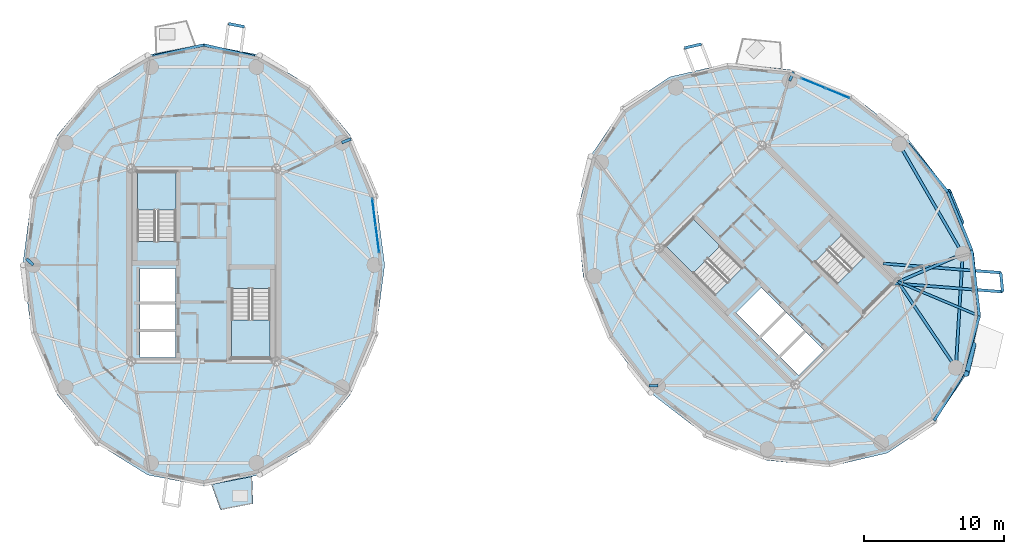
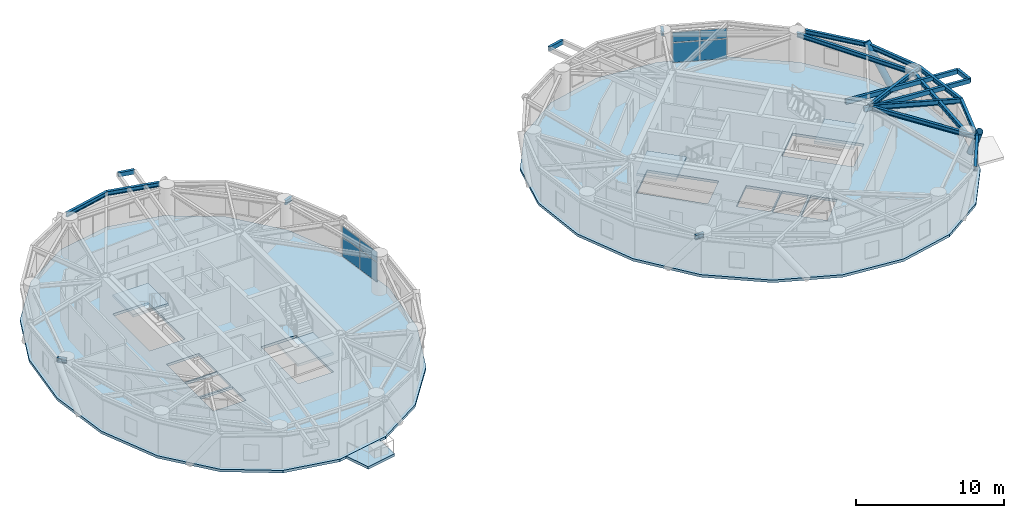
# One storey, part 7 of 17: 21 beams, 8 plates, 7 slabs, 2 members, 6 elements without a shape of their own.
"""IFC4 building model written with IfcOpenShell, lengths in metres."""

from ifc_helpers import new_model, si_unit, direction, frame, origin, origin_2d, place, context, subcontext, project, spatial, polyline, rectangle, hollow_rectangle, hollow_circle, i_section, outline, extrude, source, transform, mapped, material, layer, layer_set, material_profile, profile_set, type_object, element, aggregate, save


model = new_model("IFC4")

# Units and contexts
model_context = context("Model", 3, precision=1e-05, world=origin(), true_north=direction((0.0, 1.0)))
body_context = subcontext(model_context, "Body", "Model", "MODEL_VIEW")
ifc_project = project(units=[si_unit("LENGTHUNIT", "METRE"), si_unit("AREAUNIT", "SQUARE_METRE"), si_unit("VOLUMEUNIT", "CUBIC_METRE"), si_unit("PLANEANGLEUNIT", "RADIAN"), si_unit("MASSUNIT", "GRAM", prefix="KILO")], contexts=[model_context])

# Site, building, storey
site_placement = place(None, origin())
site = spatial("IfcSite", under=ifc_project, at=site_placement, CompositionType="ELEMENT")
building_placement = place(site_placement, origin())
building = spatial("IfcBuilding", under=site, at=building_placement, Name="Cununo Teusaquillo Station Towers", CompositionType="ELEMENT")
storey_placement = place(building_placement, frame((0.0, 0.0, 222.85009765625)))
storey = spatial("IfcBuildingStorey", under=building, at=storey_placement, Name="L71", CompositionType="ELEMENT", Elevation=222.85009765625)

# Beams
ifc_material_1 = material(Name="Steel EN 10025-2 S355J2", Category="steel")
ifc_material_profile_1 = material_profile(ifc_material_1, hollow_rectangle(XDim=0.199951171875, YDim=0.35009765625, WallThickness=0.013916015625, at=origin_2d()), Name="RHS 350x200x14")
ifc_profile_set_1 = profile_set([ifc_material_profile_1], Name="Steel EN 10025-2 S355J2")
beam_type_1 = type_object("IfcBeamType", Name="BM-BAL-CANT", PredefinedType="BEAM", material=ifc_profile_set_1)
beam_1_placement = place(storey_placement, frame((65.602783203125, 23.1982421875, 2.81494140625), z_axis=(0.997032447952, -0.076982450804, 0.0), x_axis=(0.076982450804, 0.997032447952, 0.0)))
element("IfcBeam", 1, at=beam_1_placement, inside=storey, type_object=beam_type_1, Name="L71 Tower B Balcony Cantilever Bracket 2A", PredefinedType="BEAM", context=body_context, shape_type="SweptSolid", body=[
    extrude(hollow_rectangle(XDim=0.199951171875, YDim=0.35009765625, WallThickness=0.013916015625, at=origin_2d()), origin(), (0.0, 0.0, 1.0), 7.89990234375),
])
beam_2_placement = place(storey_placement, frame((64.966064453125, 24.599853515625, 2.81494140625), z_axis=(0.997033941401, -0.076963106063, 0.0), x_axis=(0.076963106063, 0.997033941401, 0.0)))
element("IfcBeam", 2, at=beam_2_placement, inside=storey, type_object=beam_type_1, Name="L71 Tower B Balcony Cantilever Bracket 2B", PredefinedType="BEAM", context=body_context, shape_type="SweptSolid", body=[
    extrude(hollow_rectangle(XDim=0.199951171875, YDim=0.35009765625, WallThickness=0.013916015625, at=origin_2d()), origin(), (0.0, 0.0, 1.0), 8.403076171875),
])
ifc_material_2 = material(Name="Steel ASTM A572 Grade 50", Category="steel")
ifc_material_profile_2 = material_profile(ifc_material_2, i_section(OverallWidth=0.180908203125, OverallDepth=0.4169921875, WebThickness=0.010986328125, FlangeThickness=0.018310546875, FilletRadius=0.012939453125, at=origin_2d()), Name="W16X57")
ifc_profile_set_2 = profile_set([ifc_material_profile_2], Name="Steel ASTM A572 Grade 50")
beam_type_2 = type_object("IfcBeamType", Name="BM-JOIST-1", PredefinedType="JOIST", material=ifc_profile_set_2)
beam_3_placement = place(storey_placement, frame((66.024169921875, 23.29443359375, 2.781494140625), z_axis=(0.922169338565, -0.386786389381, 0.0), x_axis=(0.386786389381, 0.922169338565, 0.0)))
element("IfcBeam", 3, at=beam_3_placement, inside=storey, type_object=beam_type_2, Name="L71 Tower B Radial Spandrel Joist V17", PredefinedType="JOIST", context=body_context, shape_type="SweptSolid", body=[
    extrude(i_section(OverallWidth=0.180908203125, OverallDepth=0.4169921875, WebThickness=0.010986328125, FlangeThickness=0.018310546875, FilletRadius=0.012939453125, at=origin_2d()), origin(), (0.0, 0.0, 1.0), 6.281005859375),
])
ifc_material_3 = material(Name="Steel ASTM A572 Grade 50", Category="steel")
ifc_material_profile_3 = material_profile(ifc_material_3, i_section(OverallWidth=0.2041015625, OverallDepth=0.35009765625, WebThickness=0.008544921875, FlangeThickness=0.01513671875, FilletRadius=0.011962890625, at=origin_2d()), Name="W14X48")
ifc_profile_set_3 = profile_set([ifc_material_profile_3], Name="Steel ASTM A572 Grade 50")
beam_type_3 = type_object("IfcBeamType", Name="BM-RAD-G3", PredefinedType="BEAM", material=ifc_profile_set_3)
beam_4_placement = place(storey_placement, frame((26.347412109375, 33.228515625, 2.81494140625), z_axis=(0.929761307449, 0.368162886738, 0.0), x_axis=(-0.368162886738, 0.929761307449, 0.0)))
element("IfcBeam", 4, at=beam_4_placement, inside=storey, type_object=beam_type_3, Name="L71 Tower A Perimeter Overhang Girder 02B", PredefinedType="BEAM", context=body_context, shape_type="SweptSolid", body=[
    extrude(i_section(OverallWidth=0.2041015625, OverallDepth=0.35009765625, WebThickness=0.008544921875, FlangeThickness=0.01513671875, FilletRadius=0.011962890625, at=origin_2d()), origin(), (0.0, 0.0, 1.0), 0.691650390625),
])
beam_5_placement = place(storey_placement, frame((4.327880859375, 24.5, 2.81494140625), z_axis=(-0.712904743691, 0.701260883283, 0.0), x_axis=(-0.701260883283, -0.712904743691, 0.0)))
element("IfcBeam", 5, at=beam_5_placement, inside=storey, type_object=beam_type_3, Name="L71 Tower A Perimeter Overhang Girder 06B", PredefinedType="BEAM", context=body_context, shape_type="SweptSolid", body=[
    extrude(i_section(OverallWidth=0.2041015625, OverallDepth=0.35009765625, WebThickness=0.008544921875, FlangeThickness=0.01513671875, FilletRadius=0.011962890625, at=origin_2d()), origin(), (0.0, 0.0, 1.0), 0.64990234375),
])
beam_6_placement = place(storey_placement, frame((58.291015625, 37.63525390625, 2.81494140625), z_axis=(0.397409333503, 0.917641445034, 0.0), x_axis=(-0.917641445034, 0.397409333503, 0.0)))
element("IfcBeam", 6, at=beam_6_placement, inside=storey, type_object=beam_type_3, Name="L71 Tower B Perimeter Overhang Girder 02B", PredefinedType="BEAM", context=body_context, shape_type="SweptSolid", body=[
    extrude(i_section(OverallWidth=0.2041015625, OverallDepth=0.35009765625, WebThickness=0.008544921875, FlangeThickness=0.01513671875, FilletRadius=0.011962890625, at=origin_2d()), origin(), (0.0, 0.0, 1.0), 0.691650390625),
])
beam_7_placement = place(storey_placement, frame((48.89306640625, 15.89306640625, 2.81494140625), z_axis=(-0.999962704276, -0.008636553586, 0.0), x_axis=(0.008636553586, -0.999962704276, 0.0)))
element("IfcBeam", 7, at=beam_7_placement, inside=storey, type_object=beam_type_3, Name="L71 Tower B Perimeter Overhang Girder 06B", PredefinedType="BEAM", context=body_context, shape_type="SweptSolid", body=[
    extrude(i_section(OverallWidth=0.2041015625, OverallDepth=0.35009765625, WebThickness=0.008544921875, FlangeThickness=0.01513671875, FilletRadius=0.011962890625, at=origin_2d()), origin(), (0.0, 0.0, 1.0), 0.650146484375),
])
beam_8_placement = place(storey_placement, frame((66.024169921875, 23.29443359375, 2.81494140625), z_axis=(0.558570844079, -0.829456817529, 0.0), x_axis=(0.829456817529, 0.558570844079, 0.0)))
element("IfcBeam", 8, at=beam_8_placement, inside=storey, type_object=beam_type_3, Name="L71 Tower B Continuous Overhanging Radial Girder 09", PredefinedType="BEAM", context=body_context, shape_type="SweptSolid", body=[
    extrude(i_section(OverallWidth=0.2041015625, OverallDepth=0.35009765625, WebThickness=0.008544921875, FlangeThickness=0.01513671875, FilletRadius=0.011962890625, at=origin_2d()), origin(), (0.0, 0.0, 1.0), 8.1240234375),
])
beam_9_placement = place(storey_placement, frame((66.024169921875, 23.29443359375, 2.81494140625), z_axis=(0.917665176837, 0.397354530893, 0.0), x_axis=(-0.397354530893, 0.917665176837, 0.0)))
element("IfcBeam", 9, at=beam_9_placement, inside=storey, type_object=beam_type_3, Name="L71 Tower B Continuous Overhanging Radial Girder 10", PredefinedType="BEAM", context=body_context, shape_type="SweptSolid", body=[
    extrude(i_section(OverallWidth=0.2041015625, OverallDepth=0.35009765625, WebThickness=0.008544921875, FlangeThickness=0.01513671875, FilletRadius=0.011962890625, at=origin_2d()), origin(), (0.0, 0.0, 1.0), 5.716552734375),
])
ifc_material_4 = material(Name="Steel ASTM A572 Grade 50", Category="steel")
ifc_material_profile_4 = material_profile(ifc_material_4, i_section(OverallWidth=0.2041015625, OverallDepth=0.35009765625, WebThickness=0.008544921875, FlangeThickness=0.01513671875, FilletRadius=0.011962890625, at=origin_2d()), Name="W14X48")
ifc_profile_set_4 = profile_set([ifc_material_profile_4], Name="Steel ASTM A572 Grade 50")
beam_type_4 = type_object("IfcBeamType", Name="BM-RING-Z4", PredefinedType="SPANDREL", material=ifc_profile_set_4)
for number, where, z_axis, x_axis, name in (
    (10, (20.118896484375, 39.353515625, 2.81494140625), (-0.97431470066, 0.225190728224, 0.0), (-0.225190728224, -0.97431470066, 0.0), "L71 Tower A Spandrel Ring Beam 05"),
    (11, (16.5, 40.18994140625, 2.81494140625), (-0.97431470066, -0.225190728224, 0.0), (0.225190728224, -0.97431470066, 0.0), "L71 Tower A Spandrel Ring Beam 06"),
):
    element("IfcBeam", number, at=place(storey_placement, frame(where, z_axis=z_axis, x_axis=x_axis)), inside=storey, type_object=beam_type_4, Name=name, PredefinedType="SPANDREL", context=body_context, shape_type="SweptSolid", body=[
        extrude(i_section(OverallWidth=0.2041015625, OverallDepth=0.35009765625, WebThickness=0.008544921875, FlangeThickness=0.01513671875, FilletRadius=0.011962890625, at=origin_2d()), origin(), (0.0, 0.0, 1.0), 3.71435546875),
    ])
beam_10_placement = place(storey_placement, frame((70.146240234375, 17.173095703125, 2.81494140625), z_axis=(0.06012979176, 0.998190567048, 0.0), x_axis=(-0.998190567048, 0.06012979176, 0.0)))
element("IfcBeam", 12, at=beam_10_placement, inside=storey, type_object=beam_type_4, Name="L71 Tower B Structural Column Ring Girder 09", PredefinedType="SPANDREL", context=body_context, shape_type="SweptSolid", body=[
    extrude(i_section(OverallWidth=0.2041015625, OverallDepth=0.35009765625, WebThickness=0.008544921875, FlangeThickness=0.01513671875, FilletRadius=0.011962890625, at=origin_2d()), origin(), (0.0, 0.0, 1.0), 8.132568359375),
])
beam_11_placement = place(storey_placement, frame((70.63525390625, 25.291015625, 2.81494140625), z_axis=(-0.501311121078, 0.865267103202, 0.0), x_axis=(-0.865267103202, -0.501311121078, 0.0)))
element("IfcBeam", 13, at=beam_11_placement, inside=storey, type_object=beam_type_4, Name="L71 Tower B Structural Column Ring Girder 10", PredefinedType="SPANDREL", context=body_context, shape_type="SweptSolid", body=[
    extrude(i_section(OverallWidth=0.2041015625, OverallDepth=0.35009765625, WebThickness=0.008544921875, FlangeThickness=0.01513671875, FilletRadius=0.011962890625, at=origin_2d()), origin(), (0.0, 0.0, 1.0), 9.032958984375),
])
beam_12_placement = place(storey_placement, frame((68.594482421875, 13.405517578125, 2.81494140625), z_axis=(0.529715312739, 0.848175505099, 0.0), x_axis=(-0.848175505099, 0.529715312739, 0.0)))
element("IfcBeam", 14, at=beam_12_placement, inside=storey, type_object=beam_type_4, Name="L71 Tower B Spandrel Ring Beam 16", PredefinedType="SPANDREL", context=body_context, shape_type="SweptSolid", body=[
    extrude(i_section(OverallWidth=0.2041015625, OverallDepth=0.35009765625, WebThickness=0.008544921875, FlangeThickness=0.01513671875, FilletRadius=0.011962890625, at=origin_2d()), origin(), (0.0, 0.0, 1.0), 3.71435546875),
])
beam_13_placement = place(storey_placement, frame((70.56201171875, 16.555908203125, 2.81494140625), z_axis=(0.279502797802, 0.96014487762, 0.0), x_axis=(-0.96014487762, 0.279502797802, 0.0)))
element("IfcBeam", 15, at=beam_13_placement, inside=storey, type_object=beam_type_4, Name="L71 Tower B Spandrel Ring Beam 17", PredefinedType="SPANDREL", context=body_context, shape_type="SweptSolid", body=[
    extrude(i_section(OverallWidth=0.2041015625, OverallDepth=0.35009765625, WebThickness=0.008544921875, FlangeThickness=0.01513671875, FilletRadius=0.011962890625, at=origin_2d()), origin(), (0.0, 0.0, 1.0), 4.488037109375),
])
beam_14_placement = place(storey_placement, frame((71.81640625, 20.864990234375, 2.81494140625), z_axis=(-0.115452326356, 0.993313022334, 0.0), x_axis=(-0.993313022334, -0.115452326356, 0.0)))
element("IfcBeam", 16, at=beam_14_placement, inside=storey, type_object=beam_type_4, Name="L71 Tower B Spandrel Ring Beam 18", PredefinedType="SPANDREL", context=body_context, shape_type="SweptSolid", body=[
    extrude(i_section(OverallWidth=0.2041015625, OverallDepth=0.35009765625, WebThickness=0.008544921875, FlangeThickness=0.01513671875, FilletRadius=0.011962890625, at=origin_2d()), origin(), (0.0, 0.0, 1.0), 4.732666015625),
])
beam_15_placement = place(storey_placement, frame((71.27001953125, 25.56591796875, 2.81494140625), z_axis=(-0.379275405388, 0.925283830437, 0.0), x_axis=(-0.925283830437, -0.379275405388, 0.0)))
element("IfcBeam", 17, at=beam_15_placement, inside=storey, type_object=beam_type_4, Name="L71 Tower B Spandrel Ring Beam 19", PredefinedType="SPANDREL", context=body_context, shape_type="SweptSolid", body=[
    extrude(i_section(OverallWidth=0.2041015625, OverallDepth=0.35009765625, WebThickness=0.008544921875, FlangeThickness=0.01513671875, FilletRadius=0.011962890625, at=origin_2d()), origin(), (0.0, 0.0, 1.0), 4.482177734375),
])
beam_16_placement = place(storey_placement, frame((69.570068359375, 29.713134765625, 2.81494140625), z_axis=(-0.637524682095, 0.770429931739, 0.0), x_axis=(-0.770429931739, -0.637524682095, 0.0)))
element("IfcBeam", 18, at=beam_16_placement, inside=storey, type_object=beam_type_4, Name="L71 Tower B Spandrel Ring Beam 20", PredefinedType="SPANDREL", context=body_context, shape_type="SweptSolid", body=[
    extrude(i_section(OverallWidth=0.2041015625, OverallDepth=0.35009765625, WebThickness=0.008544921875, FlangeThickness=0.01513671875, FilletRadius=0.011962890625, at=origin_2d()), origin(), (0.0, 0.0, 1.0), 4.412353515625),
])
ifc_material_5 = material(Name="Steel EN 10025-2 S355J2", Category="steel")
ifc_material_profile_5 = material_profile(ifc_material_5, hollow_rectangle(XDim=0.199951171875, YDim=0.35009765625, WallThickness=0.013916015625, at=origin_2d()), Name="RHS 350x200x14")
ifc_profile_set_5 = profile_set([ifc_material_profile_5], Name="Steel EN 10025-2 S355J2")
beam_type_5 = type_object("IfcBeamType", Name="BM-STAIR-TRIM", PredefinedType="BEAM", material=ifc_profile_set_5)
beam_17_placement = place(storey_placement, frame((19.398193359375, 41.489501953125, 2.81494140625), z_axis=(-0.981857200028, 0.189621830897, 0.0), x_axis=(-0.189621830897, -0.981857200028, 0.0)))
element("IfcBeam", 19, at=beam_17_placement, inside=storey, type_object=beam_type_5, Name="L71 Tower A Balcony Edge Trimmer Beam 1", PredefinedType="BEAM", context=body_context, shape_type="SweptSolid", body=[
    extrude(hollow_rectangle(XDim=0.199951171875, YDim=0.35009765625, WallThickness=0.013916015625, at=origin_2d()), origin(), (0.0, 0.0, 1.0), 1.157470703125),
])
beam_18_placement = place(storey_placement, frame((51.9951171875, 40.255859375, 2.81494140625), z_axis=(-0.973841209742, -0.227229615606, 0.0), x_axis=(0.227229615606, -0.973841209742, 0.0)))
element("IfcBeam", 20, at=beam_18_placement, inside=storey, type_object=beam_type_5, Name="L71 Tower B Balcony Edge Trimmer Beam 1", PredefinedType="BEAM", context=body_context, shape_type="SweptSolid", body=[
    extrude(hollow_rectangle(XDim=0.199951171875, YDim=0.35009765625, WallThickness=0.013916015625, at=origin_2d()), origin(), (0.0, 0.0, 1.0), 1.240966796875),
])
beam_19_placement = place(storey_placement, frame((73.479248046875, 22.590087890625, 2.81494140625), z_axis=(-0.098568340868, 0.995130284022, 0.0), x_axis=(-0.995130284022, -0.098568340868, 0.0)))
element("IfcBeam", 21, at=beam_19_placement, inside=storey, type_object=beam_type_5, Name="L71 Tower B Balcony Edge Trimmer Beam 2", PredefinedType="BEAM", context=body_context, shape_type="SweptSolid", body=[
    extrude(hollow_rectangle(XDim=0.199951171875, YDim=0.35009765625, WallThickness=0.013916015625, at=origin_2d()), origin(), (0.0, 0.0, 1.0), 1.36962890625),
])

# Members
ifc_material_6 = material(Name="Steel EN 10025-2 S355J2", Category="steel")
ifc_material_profile_6 = material_profile(ifc_material_6, hollow_circle(Radius=0.25390625, WallThickness=0.01806640625, at=origin_2d()), Name="CHS 508x18")
ifc_profile_set_6 = profile_set([ifc_material_profile_6], Name="Steel EN 10025-2 S355J2")
member_type = type_object("IfcMemberType", Name="MBR-DIAG-Z4", PredefinedType="BRACE", material=ifc_profile_set_6)
member_1_placement = place(storey_placement, frame((71.337890625, 18.810791015625, -0.14013671875), z_axis=(-0.124851585541, -0.536033720575, 0.834913128412), x_axis=(0.973930772574, -0.226845432471, 0.0)))
element("IfcMember", 22, at=member_1_placement, inside=storey, type_object=member_type, Name="L71 Tower B Folded-Zigzag Diagrid Tube C16", PredefinedType="BRACE", context=body_context, shape_type="SweptSolid", body=[
    extrude(hollow_circle(Radius=0.25390625, WallThickness=0.01806640625, at=origin_2d()), origin(), (0.0, 0.0, 1.0), 3.832763671875),
])
member_2_placement = place(storey_placement, frame((70.47119140625, 27.521484375, -0.14013671875), z_axis=(-0.22630825878, 0.550411606357, 0.803636507132), x_axis=(-0.924874275738, -0.380273025704, 0.0)))
element("IfcMember", 23, at=member_2_placement, inside=storey, type_object=member_type, Name="L71 Tower B Folded-Zigzag Diagrid Tube C18", PredefinedType="BRACE", context=body_context, shape_type="SweptSolid", body=[
    extrude(hollow_circle(Radius=0.25390625, WallThickness=0.01806640625, at=origin_2d()), origin(), (0.0, 0.0, 1.0), 3.98193359375),
])

# Slab
ifc_material_7 = material(Name="Concrete C50/60", Category="concrete")
ifc_layer_1 = layer(ifc_material_7, 0.2099609375)
ifc_layer_set_1 = layer_set([ifc_layer_1], Name="Concrete C50/60")
slab_type_1 = type_object("IfcSlabType", Name="SLB-BAL-210", PredefinedType="FLOOR", material=ifc_layer_set_1)
slab_1_placement = place(storey_placement, frame((0.0, 0.0, -0.210205078125)))
element("IfcSlab", 24, at=slab_1_placement, inside=storey, type_object=slab_type_1, Name="L71 Tower A Tree Balcony Slab 2", PredefinedType="FLOOR", context=body_context, shape_type="SweptSolid", body=[
    extrude(outline(polyline([(17.041015625, 8.849365234375), (19.9501953125, 9.41162109375), (20.01904296875, 7.474609375), (17.69873046875, 7.026123046875), (17.041015625, 8.849365234375)])), origin(), (0.0, 0.0, 1.0), 0.210205078125),
])

# Stair, slab
ifc_material_8 = material(Name="Concrete C50/60", Category="concrete")
stair_type = type_object("IfcStairType", Name="ST-TWR-1300", PredefinedType="HALF_TURN_STAIR", material=ifc_material_8)
stair_1_placement = place(storey_placement, origin())
stair_1 = element("IfcStair", 25, at=stair_1_placement, inside=storey, type_object=stair_type, Name="L71 Tower A Protected Core Exit Stair 1", PredefinedType="HALF_TURN_STAIR")
ifc_material_9 = material(Name="Concrete C50/60", Category="concrete")
ifc_layer_2 = layer(ifc_material_9, 0.199951171875)
ifc_layer_set_2 = layer_set([ifc_layer_2], Name="Concrete C50/60")
slab_type_2 = type_object("IfcSlabType", Name="SLB-STAIR-LND", PredefinedType="LANDING", material=ifc_layer_set_2)
slab_2_placement = place(storey_placement, frame((0.0, 0.0, 1.39990234375)))
slab_2 = element("IfcSlab", 26, at=slab_2_placement, type_object=slab_type_2, Name="ST-T1-1 landing 1", PredefinedType="LANDING", context=body_context, shape_type="SweptSolid", body=[
    extrude(outline(polyline([(14.52001953125, 28.409912109375), (14.52001953125, 31.159912109375), (11.760009765625, 31.159912109375), (11.760009765625, 28.409912109375), (14.52001953125, 28.409912109375)])), origin(), (0.0, 0.0, 1.0), 0.199951171875),
])
aggregate(stair_1, [slab_2])

stair_2_placement = place(storey_placement, origin())
stair_2 = element("IfcStair", 27, at=stair_2_placement, inside=storey, type_object=stair_type, Name="L71 Tower A Protected Core Exit Stair 2", PredefinedType="HALF_TURN_STAIR")
slab_3_placement = place(storey_placement, frame((0.0, 0.0, 1.39990234375)))
slab_3 = element("IfcSlab", 28, at=slab_3_placement, type_object=slab_type_2, Name="ST-T1-2 landing 1", PredefinedType="LANDING", context=body_context, shape_type="SweptSolid", body=[
    extrude(outline(polyline([(18.47998046875, 20.590087890625), (18.47998046875, 17.840087890625), (21.239990234375, 17.840087890625), (21.239990234375, 20.590087890625), (18.47998046875, 20.590087890625)])), origin(), (0.0, 0.0, 1.0), 0.199951171875),
])
aggregate(stair_2, [slab_3])

stair_3_placement = place(storey_placement, origin())
stair_3 = element("IfcStair", 29, at=stair_3_placement, inside=storey, type_object=stair_type, Name="L71 Tower B Protected Core Exit Stair 1", PredefinedType="HALF_TURN_STAIR")
slab_4_placement = place(storey_placement, frame((0.0, 0.0, 1.39990234375)))
slab_4 = element("IfcSlab", 30, at=slab_4_placement, type_object=slab_type_2, Name="ST-T2-1 landing 1", PredefinedType="LANDING", context=body_context, shape_type="SweptSolid", body=[
    extrude(outline(polyline([(53.335205078125, 25.86474609375), (51.390625, 27.809326171875), (49.43896484375, 25.857666015625), (51.383544921875, 23.9130859375), (53.335205078125, 25.86474609375)])), origin(), (0.0, 0.0, 1.0), 0.199951171875),
])
aggregate(stair_3, [slab_4])

stair_4_placement = place(storey_placement, origin())
stair_4 = element("IfcStair", 31, at=stair_4_placement, inside=storey, type_object=stair_type, Name="L71 Tower B Protected Core Exit Stair 2", PredefinedType="HALF_TURN_STAIR")
slab_5_placement = place(storey_placement, frame((0.0, 0.0, 1.39990234375)))
slab_5 = element("IfcSlab", 32, at=slab_5_placement, type_object=slab_type_2, Name="ST-T2-2 landing 1", PredefinedType="LANDING", context=body_context, shape_type="SweptSolid", body=[
    extrude(outline(polyline([(61.664794921875, 23.13525390625), (63.609375, 21.190673828125), (65.56103515625, 23.142333984375), (63.616455078125, 25.0869140625), (61.664794921875, 23.13525390625)])), origin(), (0.0, 0.0, 1.0), 0.199951171875),
])
aggregate(stair_4, [slab_5])

# Slabs
ifc_material_10 = material(Name="Concrete C40/50", Category="concrete")
ifc_layer_3 = layer(ifc_material_10, 0.2099609375)
ifc_layer_set_3 = layer_set([ifc_layer_3], Name="Concrete C40/50")
slab_type_3 = type_object("IfcSlabType", Name="SLB-Z4-200", PredefinedType="FLOOR", material=ifc_layer_set_3)
slab_6_placement = place(storey_placement, frame((0.0, 0.0, -0.210205078125)))
element("IfcSlab", 33, at=slab_6_placement, inside=storey, type_object=slab_type_3, Name="L71 Tower A Floor Slab", PredefinedType="FLOOR", context=body_context, shape_type="SweptSolid", body=[
    extrude(outline(polyline([(29.409912109375, 24.5), (28.778076171875, 29.366943359375), (26.9443359375, 33.757568359375), (24.08837890625, 37.241943359375), (20.489501953125, 39.47900390625), (16.5, 40.25), (12.510498046875, 39.47900390625), (8.91162109375, 37.241943359375), (6.0556640625, 33.757568359375), (4.221923828125, 29.366943359375), (3.590087890625, 24.5), (4.221923828125, 19.633056640625), (6.0556640625, 15.242431640625), (8.91162109375, 11.758056640625), (12.510498046875, 9.52099609375), (16.5, 8.75), (20.489501953125, 9.52099609375), (24.08837890625, 11.758056640625), (26.9443359375, 15.242431640625), (28.778076171875, 19.633056640625), (29.409912109375, 24.5)]), holes=[polyline([(14.52001953125, 26.176025390625), (14.52001953125, 31.159912109375), (11.760009765625, 31.159912109375), (11.760009765625, 26.176025390625), (14.52001953125, 26.176025390625)]), polyline([(18.47998046875, 22.823974609375), (18.47998046875, 17.840087890625), (21.239990234375, 17.840087890625), (21.239990234375, 22.823974609375), (18.47998046875, 22.823974609375)]), polyline([(11.949951171875, 21.85009765625), (14.47998046875, 21.85009765625), (14.47998046875, 24.25), (11.949951171875, 24.25), (11.949951171875, 21.85009765625)]), polyline([(11.949951171875, 17.89990234375), (14.47998046875, 17.89990234375), (14.47998046875, 19.75), (11.949951171875, 19.75), (11.949951171875, 17.89990234375)]), polyline([(11.949951171875, 19.89990234375), (14.47998046875, 19.89990234375), (14.47998046875, 21.75), (11.949951171875, 21.75), (11.949951171875, 19.89990234375)])]), origin(), (0.0, 0.0, 1.0), 0.210205078125),
])
slab_7_placement = place(storey_placement, frame((0.0, 0.0, -0.210205078125)))
element("IfcSlab", 34, at=slab_7_placement, inside=storey, type_object=slab_type_3, Name="L71 Tower B Floor Slab", PredefinedType="FLOOR", context=body_context, shape_type="SweptSolid", body=[
    extrude(outline(polyline([(66.628662109375, 33.628662109375), (62.740478515625, 36.623291015625), (58.339111328125, 38.431396484375), (53.855712890625, 38.875732421875), (49.72900390625, 37.912841796875), (46.363037109375, 35.636962890625), (44.087158203125, 32.27099609375), (43.124267578125, 28.144287109375), (43.568603515625, 23.660888671875), (45.376708984375, 19.259521484375), (48.371337890625, 15.371337890625), (52.259521484375, 12.376708984375), (56.660888671875, 10.568603515625), (61.144287109375, 10.124267578125), (65.27099609375, 11.087158203125), (68.636962890625, 13.363037109375), (70.912841796875, 16.72900390625), (71.875732421875, 20.855712890625), (71.431396484375, 25.339111328125), (69.623291015625, 29.740478515625), (66.628662109375, 33.628662109375)]), holes=[polyline([(54.914794921875, 24.28515625), (51.390625, 27.809326171875), (49.43896484375, 25.857666015625), (52.963134765625, 22.33349609375), (54.914794921875, 24.28515625)]), polyline([(60.085205078125, 24.71484375), (63.609375, 21.190673828125), (65.56103515625, 23.142333984375), (62.036865234375, 26.66650390625), (60.085205078125, 24.71484375)]), polyline([(56.156494140625, 19.40869140625), (57.945556640625, 21.19775390625), (56.248291015625, 22.89501953125), (54.45947265625, 21.10595703125), (56.156494140625, 19.40869140625)]), polyline([(58.94970703125, 16.61572265625), (60.738525390625, 18.40478515625), (59.430419921875, 19.712890625), (57.641357421875, 17.923828125), (58.94970703125, 16.61572265625)]), polyline([(57.535400390625, 18.030029296875), (59.32421875, 19.819091796875), (58.01611328125, 21.127197265625), (56.227294921875, 19.338134765625), (57.535400390625, 18.030029296875)])]), origin(), (0.0, 0.0, 1.0), 0.210205078125),
])

# Curtain wall, plates
ifc_material_11 = material(Name="Ceramic-fritted dark low-E double glazing", Category="glass")
ifc_layer_4 = layer(ifc_material_11, 0.179931640625)
ifc_layer_set_4 = layer_set([ifc_layer_4], Name="Ceramic-fritted dark low-E double glazing")
curtain_wall_type = type_object("IfcCurtainWallType", Name="CW-SYS-07", PredefinedType="USERDEFINED", material=ifc_layer_set_4)
curtain_wall_1_placement = place(storey_placement, origin())
curtain_wall_1 = element("IfcCurtainWall", 35, at=curtain_wall_1_placement, inside=storey, type_object=curtain_wall_type, Name="L71 Tower A Facade Curtain Wall C00", ObjectType="FRITTED GLAZING", PredefinedType="USERDEFINED")
ifc_material_12 = material(Name="Ceramic-fritted dark low-E double glazing", Category="glass")
ifc_layer_5 = layer(ifc_material_12, 0.028076171875)
ifc_layer_set_5 = layer_set([ifc_layer_5], Name="Ceramic-fritted dark low-E double glazing")
plate_type = type_object("IfcPlateType", Name="CWP-FRIT-28", PredefinedType="CURTAIN_PANEL", material=ifc_layer_set_5)
shared_shape_1 = source(origin(), body_context, "Body", "SweptSolid", [
    extrude(rectangle(XDim=1.8876953125, YDim=0.028076171875, at=origin_2d()), origin(), (0.0, 0.0, 1.0), 1.6005859375),
])
plate_1_placement = place(storey_placement, frame((28.64111328125, 28.280029296875, 0.06494140625), z_axis=(0.0, 0.0, 1.0), x_axis=(0.12825264413, -0.991741528461, 0.0)))
plate_1 = element("IfcPlate", 36, at=plate_1_placement, type_object=plate_type, Name="CW-07 panel 1.1", PredefinedType="CURTAIN_PANEL", context=body_context, shape_type="MappedRepresentation", body=[
    mapped(shared_shape_1, transform((0.0, 0.0, 0.0), x_axis=(1.0, 0.0, 0.0), y_axis=(0.0, 1.0, 0.0), z_axis=(0.0, 0.0, 1.0), scale=1.0)),
])
plate_2_placement = place(storey_placement, frame((28.8916015625, 26.343505859375, 0.06494140625), z_axis=(0.0, 0.0, 1.0), x_axis=(0.12825264413, -0.991741528461, 0.0)))
plate_2 = element("IfcPlate", 37, at=plate_2_placement, type_object=plate_type, Name="CW-07 panel 2.1", PredefinedType="CURTAIN_PANEL", context=body_context, shape_type="MappedRepresentation", body=[
    mapped(shared_shape_1, transform((0.0, 0.0, 0.0), x_axis=(1.0, 0.0, 0.0), y_axis=(0.0, 1.0, 0.0), z_axis=(0.0, 0.0, 1.0), scale=1.0)),
])
shared_shape_2 = source(origin(), body_context, "Body", "SweptSolid", [
    extrude(rectangle(XDim=1.8876953125, YDim=0.028076171875, at=origin_2d()), origin(), (0.0, 0.0, 1.0), 0.81640625),
])
plate_3_placement = place(storey_placement, frame((28.64111328125, 28.280029296875, 1.73046875), z_axis=(0.0, 0.0, 1.0), x_axis=(0.12825264413, -0.991741528461, 0.0)))
plate_3 = element("IfcPlate", 38, at=plate_3_placement, type_object=plate_type, Name="CW-07 panel 1.2", PredefinedType="CURTAIN_PANEL", context=body_context, shape_type="MappedRepresentation", body=[
    mapped(shared_shape_2, transform((0.0, 0.0, 0.0), x_axis=(1.0, 0.0, 0.0), y_axis=(0.0, 1.0, 0.0), z_axis=(0.0, 0.0, 1.0), scale=1.0)),
])
plate_4_placement = place(storey_placement, frame((28.8916015625, 26.343505859375, 1.73046875), z_axis=(0.0, 0.0, 1.0), x_axis=(0.12825264413, -0.991741528461, 0.0)))
plate_4 = element("IfcPlate", 39, at=plate_4_placement, type_object=plate_type, Name="CW-07 panel 2.2", PredefinedType="CURTAIN_PANEL", context=body_context, shape_type="MappedRepresentation", body=[
    mapped(shared_shape_2, transform((0.0, 0.0, 0.0), x_axis=(1.0, 0.0, 0.0), y_axis=(0.0, 1.0, 0.0), z_axis=(0.0, 0.0, 1.0), scale=1.0)),
])
aggregate(curtain_wall_1, [plate_1, plate_3, plate_2, plate_4])

curtain_wall_2_placement = place(storey_placement, origin())
curtain_wall_2 = element("IfcCurtainWall", 40, at=curtain_wall_2_placement, inside=storey, type_object=curtain_wall_type, Name="L71 Tower B Facade Curtain Wall C01", ObjectType="FRITTED GLAZING", PredefinedType="USERDEFINED")
shared_shape_3 = source(origin(), body_context, "Body", "SweptSolid", [
    extrude(rectangle(XDim=1.81298828125, YDim=0.028076171875, at=origin_2d()), origin(), (0.0, 0.0, 1.0), 1.6005859375),
])
plate_5_placement = place(storey_placement, frame((59.979248046875, 37.46044921875, 0.06494140625), z_axis=(0.0, 0.0, 1.0), x_axis=(0.924447019904, -0.381310513086, 0.0)))
plate_5 = element("IfcPlate", 41, at=plate_5_placement, type_object=plate_type, Name="CW-07 panel 1.1", PredefinedType="CURTAIN_PANEL", context=body_context, shape_type="MappedRepresentation", body=[
    mapped(shared_shape_3, transform((0.0, 0.0, 0.0), x_axis=(1.0, 0.0, 0.0), y_axis=(0.0, 1.0, 0.0), z_axis=(0.0, 0.0, 1.0), scale=1.0)),
])
plate_6_placement = place(storey_placement, frame((61.71533203125, 36.744384765625, 0.06494140625), z_axis=(0.0, 0.0, 1.0), x_axis=(0.924447019904, -0.381310513086, 0.0)))
plate_6 = element("IfcPlate", 42, at=plate_6_placement, type_object=plate_type, Name="CW-07 panel 2.1", PredefinedType="CURTAIN_PANEL", context=body_context, shape_type="MappedRepresentation", body=[
    mapped(shared_shape_3, transform((0.0, 0.0, 0.0), x_axis=(1.0, 0.0, 0.0), y_axis=(0.0, 1.0, 0.0), z_axis=(0.0, 0.0, 1.0), scale=1.0)),
])
shared_shape_4 = source(origin(), body_context, "Body", "SweptSolid", [
    extrude(rectangle(XDim=1.81298828125, YDim=0.028076171875, at=origin_2d()), origin(), (0.0, 0.0, 1.0), 0.81640625),
])
plate_7_placement = place(storey_placement, frame((59.979248046875, 37.46044921875, 1.73046875), z_axis=(0.0, 0.0, 1.0), x_axis=(0.924447019904, -0.381310513086, 0.0)))
plate_7 = element("IfcPlate", 43, at=plate_7_placement, type_object=plate_type, Name="CW-07 panel 1.2", PredefinedType="CURTAIN_PANEL", context=body_context, shape_type="MappedRepresentation", body=[
    mapped(shared_shape_4, transform((0.0, 0.0, 0.0), x_axis=(1.0, 0.0, 0.0), y_axis=(0.0, 1.0, 0.0), z_axis=(0.0, 0.0, 1.0), scale=1.0)),
])
plate_8_placement = place(storey_placement, frame((61.71533203125, 36.744384765625, 1.73046875), z_axis=(0.0, 0.0, 1.0), x_axis=(0.924447019904, -0.381310513086, 0.0)))
plate_8 = element("IfcPlate", 44, at=plate_8_placement, type_object=plate_type, Name="CW-07 panel 2.2", PredefinedType="CURTAIN_PANEL", context=body_context, shape_type="MappedRepresentation", body=[
    mapped(shared_shape_4, transform((0.0, 0.0, 0.0), x_axis=(1.0, 0.0, 0.0), y_axis=(0.0, 1.0, 0.0), z_axis=(0.0, 0.0, 1.0), scale=1.0)),
])
aggregate(curtain_wall_2, [plate_5, plate_7, plate_6, plate_8])

save(model, "model.ifc")
